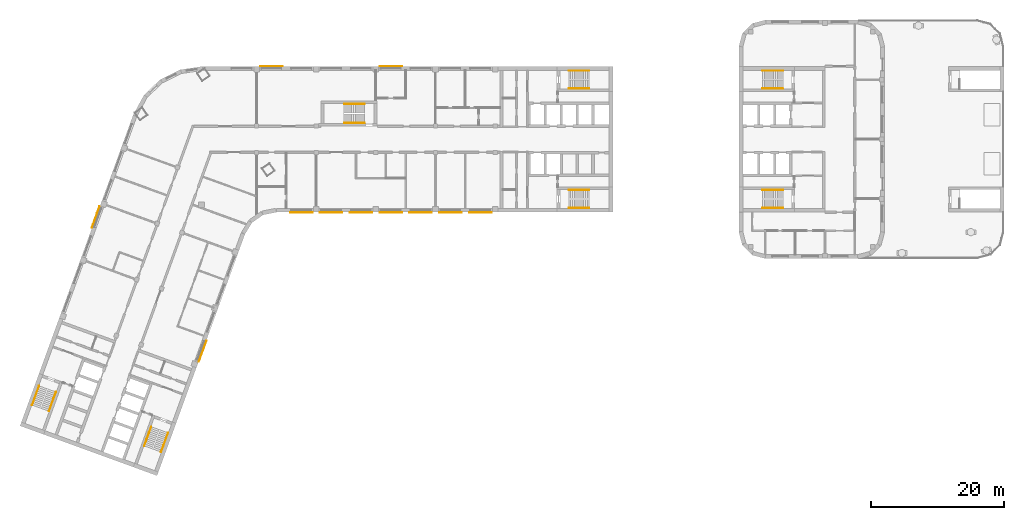
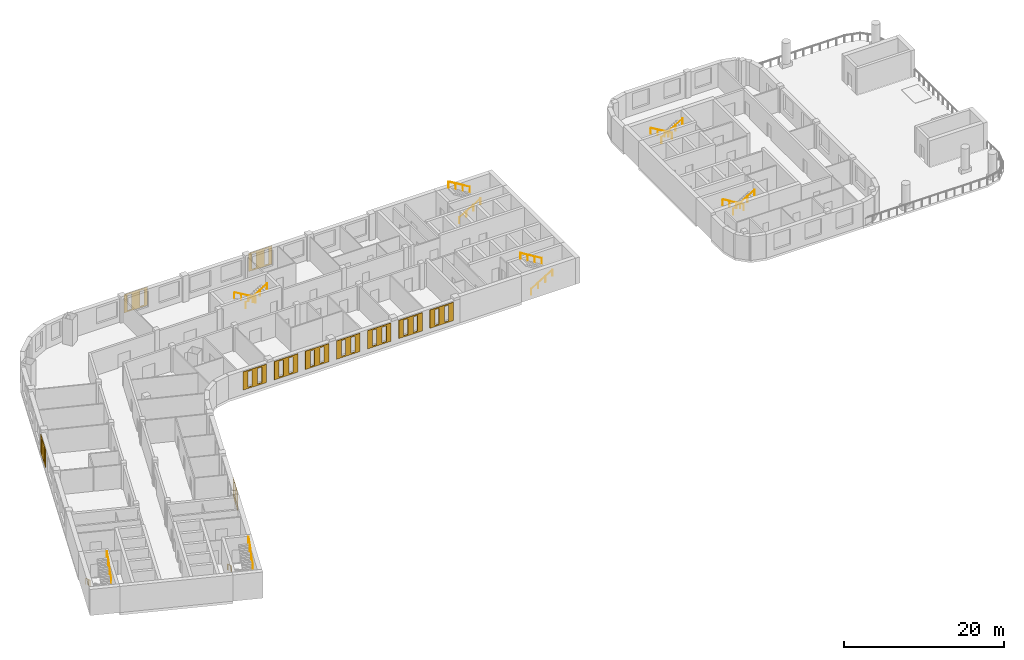
# One storey, part 11 of 14: 14 railings, 11 coverings.
"""IFC4 building model written with IfcOpenShell, lengths in metres."""

from ifc_helpers import new_model, si_unit, direction, frame, origin, origin_2d, place, context, subcontext, project, spatial, polyline, circle, outline, extrude, material, material_profile, profile_set, type_object, element, save


model = new_model("IFC4")

# Units and contexts
model_context = context("Model", 3, precision=1e-05, world=origin(), true_north=direction((0.0, 1.0)))
body_context = subcontext(model_context, "Body", "Model", "MODEL_VIEW")
ifc_project = project(units=[si_unit("LENGTHUNIT", "METRE"), si_unit("AREAUNIT", "SQUARE_METRE"), si_unit("VOLUMEUNIT", "CUBIC_METRE"), si_unit("PLANEANGLEUNIT", "RADIAN"), si_unit("MASSUNIT", "GRAM", prefix="KILO")], contexts=[model_context])

# Site, building, storey
site_placement = place(None, origin())
site = spatial("IfcSite", under=ifc_project, at=site_placement, CompositionType="ELEMENT")
building_placement = place(site_placement, origin())
building = spatial("IfcBuilding", under=site, at=building_placement, Name="Skarvind Civic Tower", CompositionType="ELEMENT")
storey_placement = place(building_placement, frame((0.0, 0.0, 89.0)))
storey = spatial("IfcBuildingStorey", under=building, at=storey_placement, Name="L20", CompositionType="ELEMENT", Elevation=89.0)

# Railings
ifc_material_1 = material(Name="Painted steel handrail", Category="steel")
railing_type = type_object("IfcRailingType", Name="Stair handrail 900", PredefinedType="HANDRAIL", material=ifc_material_1)
railing_1_placement = place(storey_placement, frame((101.35009765625, 135.64990234375, 0.166748046875)))
element("IfcRailing", 1, at=railing_1_placement, inside=storey, type_object=railing_type, Name="Stair handrail", PredefinedType="HANDRAIL", context=body_context, shape_type="SweptSolid", body=[
    extrude(circle(Radius=0.02392578125, at=origin_2d()), frame((0.0, 0.0, 0.8759765625), z_axis=(0.859290745958, 0.0, 0.51148745235), x_axis=(0.0, 1.0, 0.0)), (0.0, 0.0, 1.0), 3.584228515625),
    extrude(circle(Radius=0.02099609375, at=origin_2d()), origin(), (0.0, 0.0, 1.0), 0.851806640625),
    extrude(circle(Radius=0.02099609375, at=origin_2d()), frame((1.026611328125, 0.0, 0.611083984375)), (0.0, 0.0, 1.0), 0.851806640625),
    extrude(circle(Radius=0.02099609375, at=origin_2d()), frame((2.05322265625, 0.0, 1.22216796875)), (0.0, 0.0, 1.0), 0.851806640625),
    extrude(circle(Radius=0.02099609375, at=origin_2d()), frame((3.079833984375, 0.0, 1.833251953125)), (0.0, 0.0, 1.0), 0.851806640625),
])
railing_2_placement = place(storey_placement, frame((104.429931640625, 138.35009765625, 2.166748046875)))
element("IfcRailing", 2, at=railing_2_placement, inside=storey, type_object=railing_type, Name="Stair handrail", PredefinedType="HANDRAIL", context=body_context, shape_type="SweptSolid", body=[
    extrude(circle(Radius=0.02392578125, at=origin_2d()), frame((0.0, 0.0, 0.8759765625), z_axis=(-0.859290745958, 0.0, 0.51148745235), x_axis=(0.0, -1.0, 0.0)), (0.0, 0.0, 1.0), 3.584228515625),
    extrude(circle(Radius=0.02099609375, at=origin_2d()), origin(), (0.0, 0.0, 1.0), 0.851806640625),
    extrude(circle(Radius=0.02099609375, at=origin_2d()), frame((-1.026611328125, 0.0, 0.611083984375)), (0.0, 0.0, 1.0), 0.851806640625),
    extrude(circle(Radius=0.02099609375, at=origin_2d()), frame((-2.05322265625, 0.0, 1.22216796875)), (0.0, 0.0, 1.0), 0.851806640625),
    extrude(circle(Radius=0.02099609375, at=origin_2d()), frame((-3.079833984375, 0.0, 1.833251953125)), (0.0, 0.0, 1.0), 0.851806640625),
])
railing_3_placement = place(storey_placement, frame((101.35009765625, 117.64990234375, 0.166748046875)))
element("IfcRailing", 3, at=railing_3_placement, inside=storey, type_object=railing_type, Name="Stair handrail", PredefinedType="HANDRAIL", context=body_context, shape_type="SweptSolid", body=[
    extrude(circle(Radius=0.02392578125, at=origin_2d()), frame((0.0, 0.0, 0.8759765625), z_axis=(0.859290745958, 0.0, 0.51148745235), x_axis=(0.0, 1.0, 0.0)), (0.0, 0.0, 1.0), 3.584228515625),
    extrude(circle(Radius=0.02099609375, at=origin_2d()), origin(), (0.0, 0.0, 1.0), 0.851806640625),
    extrude(circle(Radius=0.02099609375, at=origin_2d()), frame((1.026611328125, 0.0, 0.611083984375)), (0.0, 0.0, 1.0), 0.851806640625),
    extrude(circle(Radius=0.02099609375, at=origin_2d()), frame((2.05322265625, 0.0, 1.22216796875)), (0.0, 0.0, 1.0), 0.851806640625),
    extrude(circle(Radius=0.02099609375, at=origin_2d()), frame((3.079833984375, 0.0, 1.833251953125)), (0.0, 0.0, 1.0), 0.851806640625),
])
railing_4_placement = place(storey_placement, frame((104.429931640625, 120.35009765625, 2.166748046875)))
element("IfcRailing", 4, at=railing_4_placement, inside=storey, type_object=railing_type, Name="Stair handrail", PredefinedType="HANDRAIL", context=body_context, shape_type="SweptSolid", body=[
    extrude(circle(Radius=0.02392578125, at=origin_2d()), frame((0.0, 0.0, 0.8759765625), z_axis=(-0.859290745958, 0.0, 0.51148745235), x_axis=(0.0, -1.0, 0.0)), (0.0, 0.0, 1.0), 3.584228515625),
    extrude(circle(Radius=0.02099609375, at=origin_2d()), origin(), (0.0, 0.0, 1.0), 0.851806640625),
    extrude(circle(Radius=0.02099609375, at=origin_2d()), frame((-1.026611328125, 0.0, 0.611083984375)), (0.0, 0.0, 1.0), 0.851806640625),
    extrude(circle(Radius=0.02099609375, at=origin_2d()), frame((-2.05322265625, 0.0, 1.22216796875)), (0.0, 0.0, 1.0), 0.851806640625),
    extrude(circle(Radius=0.02099609375, at=origin_2d()), frame((-3.079833984375, 0.0, 1.833251953125)), (0.0, 0.0, 1.0), 0.851806640625),
])
railing_5_placement = place(storey_placement, frame((38.362060546875, 84.64794921875, 0.166748046875)))
element("IfcRailing", 5, at=railing_5_placement, inside=storey, type_object=railing_type, Name="Stair handrail", PredefinedType="HANDRAIL", context=body_context, shape_type="SweptSolid", body=[
    extrude(circle(Radius=0.02392578125, at=origin_2d()), frame((0.0, 0.0, 0.8759765625), z_axis=(-0.293908055923, -0.807480881337, 0.511461319103), x_axis=(0.939689235759, -0.342029443467, 0.0)), (0.0, 0.0, 1.0), 3.584228515625),
    extrude(circle(Radius=0.02099609375, at=origin_2d()), origin(), (0.0, 0.0, 1.0), 0.851806640625),
    extrude(circle(Radius=0.02099609375, at=origin_2d()), frame((-0.35107421875, -0.96484375, 0.611083984375)), (0.0, 0.0, 1.0), 0.851806640625),
    extrude(circle(Radius=0.02099609375, at=origin_2d()), frame((-0.702392578125, -1.929443359375, 1.22216796875)), (0.0, 0.0, 1.0), 0.851806640625),
    extrude(circle(Radius=0.02099609375, at=origin_2d()), frame((-1.053466796875, -2.894287109375, 1.833251953125)), (0.0, 0.0, 1.0), 0.851806640625),
])
railing_6_placement = place(storey_placement, frame((39.845703125, 80.830078125, 2.166748046875)))
element("IfcRailing", 6, at=railing_6_placement, inside=storey, type_object=railing_type, Name="Stair handrail", PredefinedType="HANDRAIL", context=body_context, shape_type="SweptSolid", body=[
    extrude(circle(Radius=0.02392578125, at=origin_2d()), frame((0.0, 0.0, 0.8759765625), z_axis=(0.293908055923, 0.807480881337, 0.511461319103), x_axis=(-0.939689235759, 0.342029443467, 0.0)), (0.0, 0.0, 1.0), 3.584228515625),
    extrude(circle(Radius=0.02099609375, at=origin_2d()), origin(), (0.0, 0.0, 1.0), 0.851806640625),
    extrude(circle(Radius=0.02099609375, at=origin_2d()), frame((0.35107421875, 0.96484375, 0.611083984375)), (0.0, 0.0, 1.0), 0.851806640625),
    extrude(circle(Radius=0.02099609375, at=origin_2d()), frame((0.702392578125, 1.929443359375, 1.22216796875)), (0.0, 0.0, 1.0), 0.851806640625),
    extrude(circle(Radius=0.02099609375, at=origin_2d()), frame((1.053466796875, 2.894287109375, 1.833251953125)), (0.0, 0.0, 1.0), 0.851806640625),
])
railing_7_placement = place(storey_placement, frame((21.447509765625, 90.80419921875, 0.166748046875)))
element("IfcRailing", 7, at=railing_7_placement, inside=storey, type_object=railing_type, Name="Stair handrail", PredefinedType="HANDRAIL", context=body_context, shape_type="SweptSolid", body=[
    extrude(circle(Radius=0.02392578125, at=origin_2d()), frame((0.0, 0.0, 0.8759765625), z_axis=(-0.293845824691, -0.807497044902, 0.511471557163), x_axis=(0.939714709796, -0.34195944817, 0.0)), (0.0, 0.0, 1.0), 3.584228515625),
    extrude(circle(Radius=0.02099609375, at=origin_2d()), origin(), (0.0, 0.0, 1.0), 0.851806640625),
    extrude(circle(Radius=0.02099609375, at=origin_2d()), frame((-0.35107421875, -0.96484375, 0.611083984375)), (0.0, 0.0, 1.0), 0.851806640625),
    extrude(circle(Radius=0.02099609375, at=origin_2d()), frame((-0.7021484375, -1.929443359375, 1.22216796875)), (0.0, 0.0, 1.0), 0.851806640625),
    extrude(circle(Radius=0.02099609375, at=origin_2d()), frame((-1.05322265625, -2.894287109375, 1.833251953125)), (0.0, 0.0, 1.0), 0.851806640625),
])
railing_8_placement = place(storey_placement, frame((22.931396484375, 86.986572265625, 2.166748046875)))
element("IfcRailing", 8, at=railing_8_placement, inside=storey, type_object=railing_type, Name="Stair handrail", PredefinedType="HANDRAIL", context=body_context, shape_type="SweptSolid", body=[
    extrude(circle(Radius=0.02392578125, at=origin_2d()), frame((0.0, 0.0, 0.8759765625), z_axis=(0.293908055923, 0.807480881337, 0.511461319103), x_axis=(-0.939689235759, 0.342029443467, 0.0)), (0.0, 0.0, 1.0), 3.584228515625),
    extrude(circle(Radius=0.02099609375, at=origin_2d()), origin(), (0.0, 0.0, 1.0), 0.851806640625),
    extrude(circle(Radius=0.02099609375, at=origin_2d()), frame((0.35107421875, 0.96484375, 0.611083984375)), (0.0, 0.0, 1.0), 0.851806640625),
    extrude(circle(Radius=0.02099609375, at=origin_2d()), frame((0.702392578125, 1.929443359375, 1.22216796875)), (0.0, 0.0, 1.0), 0.851806640625),
    extrude(circle(Radius=0.02099609375, at=origin_2d()), frame((1.053466796875, 2.894287109375, 1.833251953125)), (0.0, 0.0, 1.0), 0.851806640625),
])
railing_9_placement = place(storey_placement, frame((133.64990234375, 120.35009765625, 0.166748046875)))
element("IfcRailing", 9, at=railing_9_placement, inside=storey, type_object=railing_type, Name="Stair handrail", PredefinedType="HANDRAIL", context=body_context, shape_type="SweptSolid", body=[
    extrude(circle(Radius=0.02392578125, at=origin_2d()), frame((0.0, 0.0, 0.8759765625), z_axis=(-0.859290745958, 0.0, 0.51148745235), x_axis=(0.0, -1.0, 0.0)), (0.0, 0.0, 1.0), 3.584228515625),
    extrude(circle(Radius=0.02099609375, at=origin_2d()), origin(), (0.0, 0.0, 1.0), 0.851806640625),
    extrude(circle(Radius=0.02099609375, at=origin_2d()), frame((-1.026611328125, 0.0, 0.611083984375)), (0.0, 0.0, 1.0), 0.851806640625),
    extrude(circle(Radius=0.02099609375, at=origin_2d()), frame((-2.05322265625, 0.0, 1.22216796875)), (0.0, 0.0, 1.0), 0.851806640625),
    extrude(circle(Radius=0.02099609375, at=origin_2d()), frame((-3.079833984375, 0.0, 1.833251953125)), (0.0, 0.0, 1.0), 0.851806640625),
])
railing_10_placement = place(storey_placement, frame((130.570068359375, 117.64990234375, 2.166748046875)))
element("IfcRailing", 10, at=railing_10_placement, inside=storey, type_object=railing_type, Name="Stair handrail", PredefinedType="HANDRAIL", context=body_context, shape_type="SweptSolid", body=[
    extrude(circle(Radius=0.02392578125, at=origin_2d()), frame((0.0, 0.0, 0.8759765625), z_axis=(0.859290745958, 0.0, 0.51148745235), x_axis=(0.0, 1.0, 0.0)), (0.0, 0.0, 1.0), 3.584228515625),
    extrude(circle(Radius=0.02099609375, at=origin_2d()), origin(), (0.0, 0.0, 1.0), 0.851806640625),
    extrude(circle(Radius=0.02099609375, at=origin_2d()), frame((1.026611328125, 0.0, 0.611083984375)), (0.0, 0.0, 1.0), 0.851806640625),
    extrude(circle(Radius=0.02099609375, at=origin_2d()), frame((2.05322265625, 0.0, 1.22216796875)), (0.0, 0.0, 1.0), 0.851806640625),
    extrude(circle(Radius=0.02099609375, at=origin_2d()), frame((3.079833984375, 0.0, 1.833251953125)), (0.0, 0.0, 1.0), 0.851806640625),
])
railing_11_placement = place(storey_placement, frame((133.64990234375, 138.35009765625, 0.166748046875)))
element("IfcRailing", 11, at=railing_11_placement, inside=storey, type_object=railing_type, Name="Stair handrail", PredefinedType="HANDRAIL", context=body_context, shape_type="SweptSolid", body=[
    extrude(circle(Radius=0.02392578125, at=origin_2d()), frame((0.0, 0.0, 0.8759765625), z_axis=(-0.859290745958, 0.0, 0.51148745235), x_axis=(0.0, -1.0, 0.0)), (0.0, 0.0, 1.0), 3.584228515625),
    extrude(circle(Radius=0.02099609375, at=origin_2d()), origin(), (0.0, 0.0, 1.0), 0.851806640625),
    extrude(circle(Radius=0.02099609375, at=origin_2d()), frame((-1.026611328125, 0.0, 0.611083984375)), (0.0, 0.0, 1.0), 0.851806640625),
    extrude(circle(Radius=0.02099609375, at=origin_2d()), frame((-2.05322265625, 0.0, 1.22216796875)), (0.0, 0.0, 1.0), 0.851806640625),
    extrude(circle(Radius=0.02099609375, at=origin_2d()), frame((-3.079833984375, 0.0, 1.833251953125)), (0.0, 0.0, 1.0), 0.851806640625),
])
railing_12_placement = place(storey_placement, frame((130.570068359375, 135.64990234375, 2.166748046875)))
element("IfcRailing", 12, at=railing_12_placement, inside=storey, type_object=railing_type, Name="Stair handrail", PredefinedType="HANDRAIL", context=body_context, shape_type="SweptSolid", body=[
    extrude(circle(Radius=0.02392578125, at=origin_2d()), frame((0.0, 0.0, 0.8759765625), z_axis=(0.859290745958, 0.0, 0.51148745235), x_axis=(0.0, 1.0, 0.0)), (0.0, 0.0, 1.0), 3.584228515625),
    extrude(circle(Radius=0.02099609375, at=origin_2d()), origin(), (0.0, 0.0, 1.0), 0.851806640625),
    extrude(circle(Radius=0.02099609375, at=origin_2d()), frame((1.026611328125, 0.0, 0.611083984375)), (0.0, 0.0, 1.0), 0.851806640625),
    extrude(circle(Radius=0.02099609375, at=origin_2d()), frame((2.05322265625, 0.0, 1.22216796875)), (0.0, 0.0, 1.0), 0.851806640625),
    extrude(circle(Radius=0.02099609375, at=origin_2d()), frame((3.079833984375, 0.0, 1.833251953125)), (0.0, 0.0, 1.0), 0.851806640625),
])
railing_13_placement = place(storey_placement, frame((70.550048828125, 133.35009765625, 0.166748046875)))
element("IfcRailing", 13, at=railing_13_placement, inside=storey, type_object=railing_type, Name="Stair handrail", PredefinedType="HANDRAIL", context=body_context, shape_type="SweptSolid", body=[
    extrude(circle(Radius=0.02392578125, at=origin_2d()), frame((0.0, 0.0, 0.8759765625), z_axis=(-0.859308565015, 0.0, 0.511457515432), x_axis=(0.0, -1.0, 0.0)), (0.0, 0.0, 1.0), 3.58447265625),
    extrude(circle(Radius=0.02099609375, at=origin_2d()), origin(), (0.0, 0.0, 1.0), 0.851806640625),
    extrude(circle(Radius=0.02099609375, at=origin_2d()), frame((-1.026611328125, 0.0, 0.611083984375)), (0.0, 0.0, 1.0), 0.851806640625),
    extrude(circle(Radius=0.02099609375, at=origin_2d()), frame((-2.053466796875, 0.0, 1.22216796875)), (0.0, 0.0, 1.0), 0.851806640625),
    extrude(circle(Radius=0.02099609375, at=origin_2d()), frame((-3.080078125, 0.0, 1.833251953125)), (0.0, 0.0, 1.0), 0.851806640625),
])
railing_14_placement = place(storey_placement, frame((67.469970703125, 130.449951171875, 2.166748046875)))
element("IfcRailing", 14, at=railing_14_placement, inside=storey, type_object=railing_type, Name="Stair handrail", PredefinedType="HANDRAIL", context=body_context, shape_type="SweptSolid", body=[
    extrude(circle(Radius=0.02392578125, at=origin_2d()), frame((0.0, 0.0, 0.8759765625), z_axis=(0.859308565015, 0.0, 0.511457515432), x_axis=(0.0, 1.0, 0.0)), (0.0, 0.0, 1.0), 3.58447265625),
    extrude(circle(Radius=0.02099609375, at=origin_2d()), origin(), (0.0, 0.0, 1.0), 0.851806640625),
    extrude(circle(Radius=0.02099609375, at=origin_2d()), frame((1.026611328125, 0.0, 0.611083984375)), (0.0, 0.0, 1.0), 0.851806640625),
    extrude(circle(Radius=0.02099609375, at=origin_2d()), frame((2.053466796875, 0.0, 1.22216796875)), (0.0, 0.0, 1.0), 0.851806640625),
    extrude(circle(Radius=0.02099609375, at=origin_2d()), frame((3.080078125, 0.0, 1.833251953125)), (0.0, 0.0, 1.0), 0.851806640625),
])

# Coverings
ifc_material_2 = material(Name="Terracotta", Category="masonry")
ifc_material_profile_1 = material_profile(ifc_material_2, outline(polyline([(-1.699951171875, -1.39990234375), (1.699951171875, -1.39990234375), (1.699951171875, 1.39990234375), (-1.699951171875, 1.39990234375), (-1.699951171875, -1.39990234375)]), holes=[polyline([(-1.0, -1.18994140625), (-0.39990234375, -1.18994140625), (-0.39990234375, 1.18994140625), (-1.0, 1.18994140625), (-1.0, -1.18994140625)]), polyline([(0.39990234375, -1.18994140625), (1.0, -1.18994140625), (1.0, 1.18994140625), (0.39990234375, 1.18994140625), (0.39990234375, -1.18994140625)])]), Name="TERRACOTTA SCREEN 3400 x 2800, SLIT PITCH 1400")
ifc_profile_set_1 = profile_set([ifc_material_profile_1], Name="Terracotta")
covering_type_1 = type_object("IfcCoveringType", Name="TERRACOTTA SCREEN 3400 x 2800, SLIT PITCH 1400", PredefinedType="CLADDING", material=ifc_profile_set_1)
for number, where, z_axis, x_axis, name in (
    (15, (88.0, 117.0, 2.10009765625), (0.0, -1.0, 0.0), (1.0, 0.0, 0.0), "TERRACOTTA SCREEN"),
    (16, (83.5, 117.0, 2.10009765625), (0.0, -1.0, 0.0), (1.0, 0.0, 0.0), "TERRACOTTA SCREEN"),
    (17, (79.0, 117.0, 2.10009765625), (0.0, -1.0, 0.0), (1.0, 0.0, 0.0), "TERRACOTTA SCREEN"),
    (18, (74.5, 117.0, 2.10009765625), (0.0, -1.0, 0.0), (1.0, 0.0, 0.0), "TERRACOTTA SCREEN"),
    (19, (70.0, 117.0, 2.10009765625), (0.0, -1.0, 0.0), (1.0, 0.0, 0.0), "TERRACOTTA SCREEN"),
    (20, (65.5, 117.0, 2.10009765625), (0.0, -1.0, 0.0), (1.0, 0.0, 0.0), "TERRACOTTA SCREEN"),
    (21, (61.0, 117.0, 2.10009765625), (0.0, -1.0, 0.0), (1.0, 0.0, 0.0), "TERRACOTTA SCREEN"),
):
    element("IfcCovering", number, at=place(storey_placement, frame(where, z_axis=z_axis, x_axis=x_axis)), inside=storey, type_object=covering_type_1, Name=name, PredefinedType="CLADDING", context=body_context, shape_type="SweptSolid", body=[
        extrude(outline(polyline([(-1.699951171875, -1.39990234375), (1.699951171875, -1.39990234375), (1.699951171875, 1.39990234375), (-1.699951171875, 1.39990234375), (-1.699951171875, -1.39990234375)]), holes=[polyline([(-1.0, -1.18994140625), (-0.39990234375, -1.18994140625), (-0.39990234375, 1.18994140625), (-1.0, 1.18994140625), (-1.0, -1.18994140625)]), polyline([(0.39990234375, -1.18994140625), (1.0, -1.18994140625), (1.0, 1.18994140625), (0.39990234375, 1.18994140625), (0.39990234375, -1.18994140625)])]), origin(), (0.0, 0.0, 1.0), 0.06005859375),
    ])
ifc_material_profile_2 = material_profile(ifc_material_2, outline(polyline([(-1.699951171875, -1.39990234375), (1.699951171875, -1.39990234375), (1.699951171875, 1.39990234375), (-1.699951171875, 1.39990234375), (-1.699951171875, -1.39990234375)]), holes=[polyline([(-1.199951171875, -1.18994140625), (-0.60009765625, -1.18994140625), (-0.60009765625, 1.18994140625), (-1.199951171875, 1.18994140625), (-1.199951171875, -1.18994140625)]), polyline([(0.60009765625, -1.18994140625), (1.199951171875, -1.18994140625), (1.199951171875, 1.18994140625), (0.60009765625, 1.18994140625), (0.60009765625, -1.18994140625)])]), Name="TERRACOTTA SCREEN 3400 x 2800, SLIT PITCH 1800")
ifc_profile_set_2 = profile_set([ifc_material_profile_2], Name="Terracotta")
covering_type_2 = type_object("IfcCoveringType", Name="TERRACOTTA SCREEN 3400 x 2800, SLIT PITCH 1800", PredefinedType="CLADDING", material=ifc_profile_set_2)
for number, where, z_axis, x_axis, name in (
    (22, (46.075927734375, 96.047119140625, 2.10009765625), (0.939793423488, -0.341743063087, 0.0), (0.341743063087, 0.939793423488, 0.0), "TERRACOTTA SCREEN"),
    (23, (56.5, 139.0, 2.10009765625), (0.0, 1.0, 0.0), (-1.0, 0.0, 0.0), "TERRACOTTA SCREEN"),
    (24, (74.5, 139.0, 2.10009765625), (0.0, 1.0, 0.0), (-1.0, 0.0, 0.0), "TERRACOTTA SCREEN"),
    (25, (30.02001953125, 116.25732421875, 2.10009765625), (-0.939793423488, 0.341743063087, 0.0), (-0.341743063087, -0.939793423488, 0.0), "TERRACOTTA SCREEN"),
):
    element("IfcCovering", number, at=place(storey_placement, frame(where, z_axis=z_axis, x_axis=x_axis)), inside=storey, type_object=covering_type_2, Name=name, PredefinedType="CLADDING", context=body_context, shape_type="SweptSolid", body=[
        extrude(outline(polyline([(-1.699951171875, -1.39990234375), (1.699951171875, -1.39990234375), (1.699951171875, 1.39990234375), (-1.699951171875, 1.39990234375), (-1.699951171875, -1.39990234375)]), holes=[polyline([(-1.199951171875, -1.18994140625), (-0.60009765625, -1.18994140625), (-0.60009765625, 1.18994140625), (-1.199951171875, 1.18994140625), (-1.199951171875, -1.18994140625)]), polyline([(0.60009765625, -1.18994140625), (1.199951171875, -1.18994140625), (1.199951171875, 1.18994140625), (0.60009765625, 1.18994140625), (0.60009765625, -1.18994140625)])]), origin(), (0.0, 0.0, 1.0), 0.06005859375),
    ])

save(model, "model.ifc")
